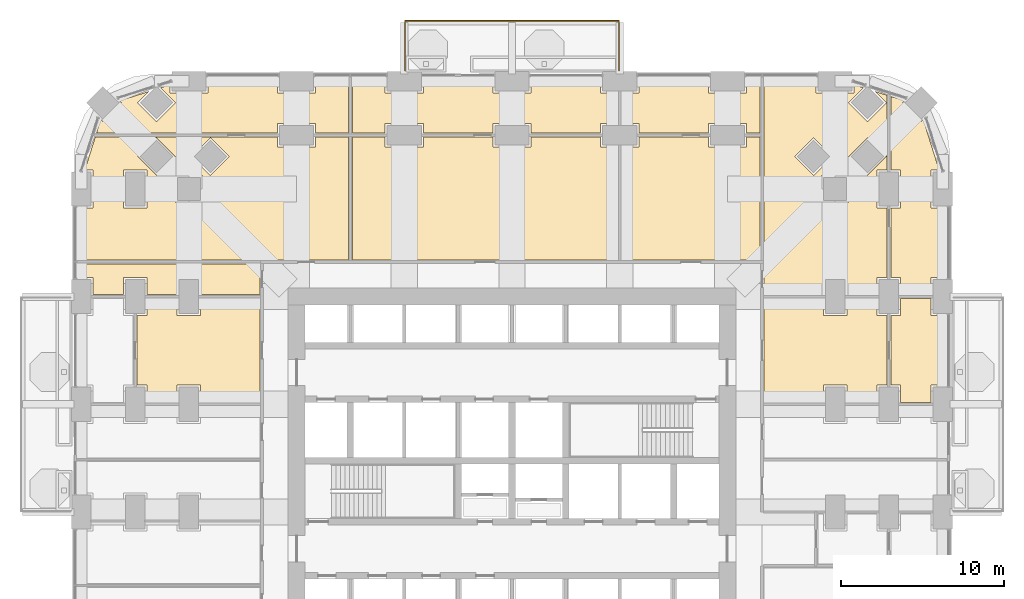
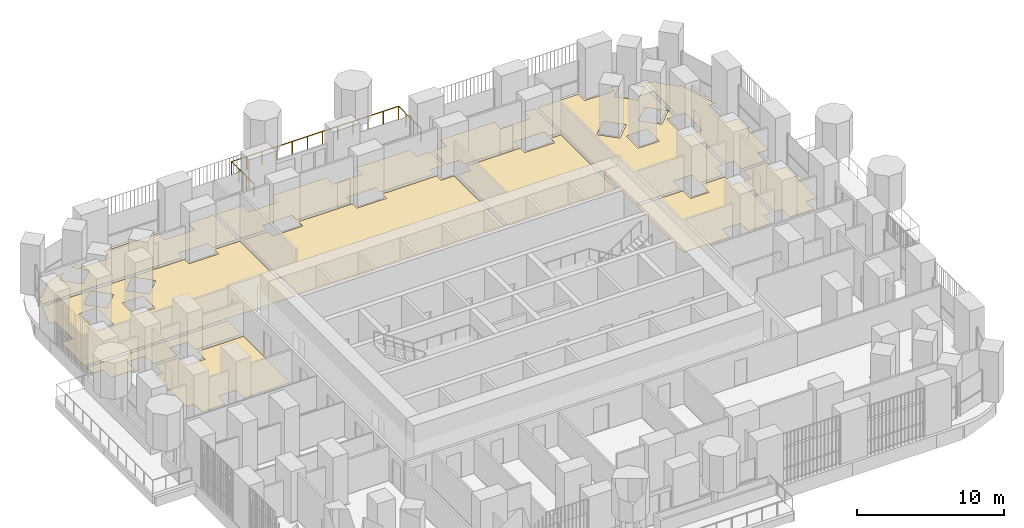
# One storey, part 25 of 26: 12 coverings, 1 railing.
"""IFC4 building model written with IfcOpenShell, lengths in metres."""

from ifc_helpers import new_model, si_unit, direction, frame, origin, place, context, subcontext, project, spatial, polyline, outline, extrude, material, layer, layer_set, type_object, element, save


model = new_model("IFC4")

# Units and contexts
model_context = context("Model", 3, precision=1e-05, world=origin(), true_north=direction((0.0, 1.0)))
body_context = subcontext(model_context, "Body", "Model", "MODEL_VIEW")
ifc_project = project(units=[si_unit("LENGTHUNIT", "METRE"), si_unit("AREAUNIT", "SQUARE_METRE"), si_unit("VOLUMEUNIT", "CUBIC_METRE"), si_unit("PLANEANGLEUNIT", "RADIAN"), si_unit("MASSUNIT", "GRAM", prefix="KILO")], contexts=[model_context])

# Site, building, storey
site_placement = place(None, origin())
site = spatial("IfcSite", under=ifc_project, at=site_placement, CompositionType="ELEMENT")
building_placement = place(site_placement, origin())
building = spatial("IfcBuilding", under=site, at=building_placement, Name="Cobogo Forest Laboratory Tower", CompositionType="ELEMENT")
storey_placement = place(building_placement, frame((0.0, 0.0, 59.10009765625)))
storey = spatial("IfcBuildingStorey", under=building, at=storey_placement, Name="L13", CompositionType="ELEMENT", Elevation=59.10009765625)

# Railing
ifc_material_1 = material(Name="Laminated glass balustrade", Category="glass")
railing_type = type_object("IfcRailingType", Name="BG1 glass balustrade 1100", PredefinedType="GUARDRAIL", material=ifc_material_1)
railing_placement = place(storey_placement, frame((19.85009765625, 46.85009765625, 0.0)))
element("IfcRailing", 1, at=railing_placement, inside=storey, type_object=railing_type, Name="Balcony balustrade BAL-N1 L13", PredefinedType="GUARDRAIL", context=body_context, shape_type="SweptSolid", body=[
    extrude(outline(polyline([(0.022216796875, 0.00927734375), (0.00927734375, 0.022216796875), (-0.00927734375, 0.022216796875), (-0.022216796875, 0.00927734375), (-0.022216796875, -0.00927734375), (-0.00927734375, -0.022216796875), (0.00927734375, -0.022216796875), (0.022216796875, -0.00927734375), (0.022216796875, 0.00927734375)])), frame((0.0, 0.0, 1.077880859375), z_axis=(0.0, 1.0, 0.0), x_axis=(-1.0, 0.0, 0.0)), (0.0, 0.0, 1.0), 3.0498046875),
    extrude(outline(polyline([(0.022216796875, 0.00927734375), (0.00927734375, 0.022216796875), (-0.00927734375, 0.022216796875), (-0.022216796875, 0.00927734375), (-0.022216796875, -0.00927734375), (-0.00927734375, -0.022216796875), (0.00927734375, -0.022216796875), (0.022216796875, -0.00927734375), (0.022216796875, 0.00927734375)])), frame((0.0, 3.0498046875, 1.077880859375), z_axis=(1.0, 0.0, 0.0), x_axis=(0.0, 1.0, 0.0)), (0.0, 0.0, 1.0), 13.099853515625),
    extrude(outline(polyline([(0.022216796875, 0.00927734375), (0.00927734375, 0.022216796875), (-0.00927734375, 0.022216796875), (-0.022216796875, 0.00927734375), (-0.022216796875, -0.00927734375), (-0.00927734375, -0.022216796875), (0.00927734375, -0.022216796875), (0.022216796875, -0.00927734375), (0.022216796875, 0.00927734375)])), frame((13.099853515625, 3.0498046875, 1.077880859375), z_axis=(0.0, -1.0, 0.0), x_axis=(1.0, 0.0, 0.0)), (0.0, 0.0, 1.0), 3.0498046875),
    extrude(outline(polyline([(0.019287109375, 0.008056640625), (0.008056640625, 0.019287109375), (-0.008056640625, 0.019287109375), (-0.019287109375, 0.008056640625), (-0.019287109375, -0.008056640625), (-0.008056640625, -0.019287109375), (0.008056640625, -0.019287109375), (0.019287109375, -0.008056640625), (0.019287109375, 0.008056640625)])), origin(), (0.0, 0.0, 1.0), 1.077880859375),
    extrude(outline(polyline([(0.019287109375, 0.008056640625), (0.008056640625, 0.019287109375), (-0.008056640625, 0.019287109375), (-0.019287109375, 0.008056640625), (-0.019287109375, -0.008056640625), (-0.008056640625, -0.019287109375), (0.008056640625, -0.019287109375), (0.019287109375, -0.008056640625), (0.019287109375, 0.008056640625)])), frame((0.0, 1.0166015625, 0.0)), (0.0, 0.0, 1.0), 1.077880859375),
    extrude(outline(polyline([(0.019287109375, 0.008056640625), (0.008056640625, 0.019287109375), (-0.008056640625, 0.019287109375), (-0.019287109375, 0.008056640625), (-0.019287109375, -0.008056640625), (-0.008056640625, -0.019287109375), (0.008056640625, -0.019287109375), (0.019287109375, -0.008056640625), (0.019287109375, 0.008056640625)])), frame((0.0, 2.033203125, 0.0)), (0.0, 0.0, 1.0), 1.077880859375),
    extrude(outline(polyline([(0.019287109375, 0.008056640625), (0.008056640625, 0.019287109375), (-0.008056640625, 0.019287109375), (-0.019287109375, 0.008056640625), (-0.019287109375, -0.008056640625), (-0.008056640625, -0.019287109375), (0.008056640625, -0.019287109375), (0.019287109375, -0.008056640625), (0.019287109375, 0.008056640625)])), frame((0.0, 3.0498046875, 0.0)), (0.0, 0.0, 1.0), 1.077880859375),
    extrude(outline(polyline([(0.019287109375, 0.008056640625), (0.008056640625, 0.019287109375), (-0.008056640625, 0.019287109375), (-0.019287109375, 0.008056640625), (-0.019287109375, -0.008056640625), (-0.008056640625, -0.019287109375), (0.008056640625, -0.019287109375), (0.019287109375, -0.008056640625), (0.019287109375, 0.008056640625)])), frame((1.19091796875, 3.0498046875, 0.0)), (0.0, 0.0, 1.0), 1.077880859375),
    extrude(outline(polyline([(0.019287109375, 0.008056640625), (0.008056640625, 0.019287109375), (-0.008056640625, 0.019287109375), (-0.019287109375, 0.008056640625), (-0.019287109375, -0.008056640625), (-0.008056640625, -0.019287109375), (0.008056640625, -0.019287109375), (0.019287109375, -0.008056640625), (0.019287109375, 0.008056640625)])), frame((2.3818359375, 3.0498046875, 0.0)), (0.0, 0.0, 1.0), 1.077880859375),
    extrude(outline(polyline([(0.019287109375, 0.008056640625), (0.008056640625, 0.019287109375), (-0.008056640625, 0.019287109375), (-0.019287109375, 0.008056640625), (-0.019287109375, -0.008056640625), (-0.008056640625, -0.019287109375), (0.008056640625, -0.019287109375), (0.019287109375, -0.008056640625), (0.019287109375, 0.008056640625)])), frame((3.57275390625, 3.0498046875, 0.0)), (0.0, 0.0, 1.0), 1.077880859375),
    extrude(outline(polyline([(0.019287109375, 0.008056640625), (0.008056640625, 0.019287109375), (-0.008056640625, 0.019287109375), (-0.019287109375, 0.008056640625), (-0.019287109375, -0.008056640625), (-0.008056640625, -0.019287109375), (0.008056640625, -0.019287109375), (0.019287109375, -0.008056640625), (0.019287109375, 0.008056640625)])), frame((4.763671875, 3.0498046875, 0.0)), (0.0, 0.0, 1.0), 1.077880859375),
    extrude(outline(polyline([(0.019287109375, 0.008056640625), (0.008056640625, 0.019287109375), (-0.008056640625, 0.019287109375), (-0.019287109375, 0.008056640625), (-0.019287109375, -0.008056640625), (-0.008056640625, -0.019287109375), (0.008056640625, -0.019287109375), (0.019287109375, -0.008056640625), (0.019287109375, 0.008056640625)])), frame((5.95458984375, 3.0498046875, 0.0)), (0.0, 0.0, 1.0), 1.077880859375),
    extrude(outline(polyline([(0.019287109375, 0.008056640625), (0.008056640625, 0.019287109375), (-0.008056640625, 0.019287109375), (-0.019287109375, 0.008056640625), (-0.019287109375, -0.008056640625), (-0.008056640625, -0.019287109375), (0.008056640625, -0.019287109375), (0.019287109375, -0.008056640625), (0.019287109375, 0.008056640625)])), frame((7.145263671875, 3.0498046875, 0.0)), (0.0, 0.0, 1.0), 1.077880859375),
    extrude(outline(polyline([(0.019287109375, 0.008056640625), (0.008056640625, 0.019287109375), (-0.008056640625, 0.019287109375), (-0.019287109375, 0.008056640625), (-0.019287109375, -0.008056640625), (-0.008056640625, -0.019287109375), (0.008056640625, -0.019287109375), (0.019287109375, -0.008056640625), (0.019287109375, 0.008056640625)])), frame((8.336181640625, 3.0498046875, 0.0)), (0.0, 0.0, 1.0), 1.077880859375),
    extrude(outline(polyline([(0.019287109375, 0.008056640625), (0.008056640625, 0.019287109375), (-0.008056640625, 0.019287109375), (-0.019287109375, 0.008056640625), (-0.019287109375, -0.008056640625), (-0.008056640625, -0.019287109375), (0.008056640625, -0.019287109375), (0.019287109375, -0.008056640625), (0.019287109375, 0.008056640625)])), frame((9.527099609375, 3.0498046875, 0.0)), (0.0, 0.0, 1.0), 1.077880859375),
    extrude(outline(polyline([(0.019287109375, 0.008056640625), (0.008056640625, 0.019287109375), (-0.008056640625, 0.019287109375), (-0.019287109375, 0.008056640625), (-0.019287109375, -0.008056640625), (-0.008056640625, -0.019287109375), (0.008056640625, -0.019287109375), (0.019287109375, -0.008056640625), (0.019287109375, 0.008056640625)])), frame((10.718017578125, 3.0498046875, 0.0)), (0.0, 0.0, 1.0), 1.077880859375),
    extrude(outline(polyline([(0.019287109375, 0.008056640625), (0.008056640625, 0.019287109375), (-0.008056640625, 0.019287109375), (-0.019287109375, 0.008056640625), (-0.019287109375, -0.008056640625), (-0.008056640625, -0.019287109375), (0.008056640625, -0.019287109375), (0.019287109375, -0.008056640625), (0.019287109375, 0.008056640625)])), frame((11.908935546875, 3.0498046875, 0.0)), (0.0, 0.0, 1.0), 1.077880859375),
    extrude(outline(polyline([(0.019287109375, 0.008056640625), (0.008056640625, 0.019287109375), (-0.008056640625, 0.019287109375), (-0.019287109375, 0.008056640625), (-0.019287109375, -0.008056640625), (-0.008056640625, -0.019287109375), (0.008056640625, -0.019287109375), (0.019287109375, -0.008056640625), (0.019287109375, 0.008056640625)])), frame((13.099853515625, 3.0498046875, 0.0)), (0.0, 0.0, 1.0), 1.077880859375),
    extrude(outline(polyline([(0.019287109375, 0.008056640625), (0.008056640625, 0.019287109375), (-0.008056640625, 0.019287109375), (-0.019287109375, 0.008056640625), (-0.019287109375, -0.008056640625), (-0.008056640625, -0.019287109375), (0.008056640625, -0.019287109375), (0.019287109375, -0.008056640625), (0.019287109375, 0.008056640625)])), frame((13.099853515625, 2.033203125, 0.0)), (0.0, 0.0, 1.0), 1.077880859375),
    extrude(outline(polyline([(0.019287109375, 0.008056640625), (0.008056640625, 0.019287109375), (-0.008056640625, 0.019287109375), (-0.019287109375, 0.008056640625), (-0.019287109375, -0.008056640625), (-0.008056640625, -0.019287109375), (0.008056640625, -0.019287109375), (0.019287109375, -0.008056640625), (0.019287109375, 0.008056640625)])), frame((13.099853515625, 1.0166015625, 0.0)), (0.0, 0.0, 1.0), 1.077880859375),
    extrude(outline(polyline([(0.019287109375, 0.008056640625), (0.008056640625, 0.019287109375), (-0.008056640625, 0.019287109375), (-0.019287109375, 0.008056640625), (-0.019287109375, -0.008056640625), (-0.008056640625, -0.019287109375), (0.008056640625, -0.019287109375), (0.019287109375, -0.008056640625), (0.019287109375, 0.008056640625)])), frame((13.099853515625, 0.0, 0.0)), (0.0, 0.0, 1.0), 1.077880859375),
])

# Coverings
ifc_material_2 = material(Name="Carpet tile on raised access floor", Category="flooring")
ifc_layer_1 = layer(ifc_material_2, 0.008056640625)
ifc_layer_set_1 = layer_set([ifc_layer_1], Name="CT1 carpet tile floor 8")
covering_type_1 = type_object("IfcCoveringType", Name="CT1 carpet tile floor 8", PredefinedType="FLOORING", material=ifc_layer_set_1)
covering_1_placement = place(storey_placement, origin())
element("IfcCovering", 2, at=covering_1_placement, inside=storey, type_object=covering_type_1, Name="Carpet floor L13-19", PredefinedType="FLOORING", context=body_context, shape_type="SweptSolid", body=[
    extrude(outline(polyline([(49.6201171875, 31.830078125), (50.219970703125, 31.830078125), (50.219970703125, 32.8798828125), (52.080078125, 32.8798828125), (52.080078125, 31.830078125), (52.949951171875, 31.830078125), (52.949951171875, 27.570068359375), (52.080078125, 27.570068359375), (52.080078125, 26.52001953125), (50.219970703125, 26.52001953125), (50.219970703125, 27.570068359375), (49.6201171875, 27.570068359375), (49.6201171875, 31.830078125)])), origin(), (0.0, 0.0, 1.0), 0.0078125),
])
covering_2_placement = place(storey_placement, origin())
element("IfcCovering", 3, at=covering_2_placement, inside=storey, type_object=covering_type_1, Name="Carpet floor L13-21", PredefinedType="FLOORING", context=body_context, shape_type="SweptSolid", body=[
    extrude(outline(polyline([(49.6201171875, 38.429931640625), (50.219970703125, 38.429931640625), (50.219970703125, 40.77001953125), (49.6201171875, 40.77001953125), (49.6201171875, 45.26025390625), (50.441162109375, 45.0009765625), (50.322265625, 44.882080078125), (51.48193359375, 43.722412109375), (51.600830078125, 43.84130859375), (52.57080078125, 40.77001953125), (52.080078125, 40.77001953125), (52.080078125, 38.429931640625), (52.949951171875, 38.429931640625), (52.949951171875, 34.169921875), (52.080078125, 34.169921875), (52.080078125, 33.1201171875), (50.219970703125, 33.1201171875), (50.219970703125, 34.169921875), (49.6201171875, 34.169921875), (49.6201171875, 38.429931640625)])), origin(), (0.0, 0.0, 1.0), 0.0078125),
])
covering_3_placement = place(storey_placement, origin())
element("IfcCovering", 4, at=covering_3_placement, inside=storey, type_object=covering_type_1, Name="Carpet floor L13-23", PredefinedType="FLOORING", context=body_context, shape_type="SweptSolid", body=[
    extrude(outline(polyline([(14.3701171875, 43.02001953125), (14.3701171875, 43.6201171875), (12.030029296875, 43.6201171875), (12.030029296875, 43.02001953125), (0.939697265625, 43.02001953125), (1.19921875, 43.84130859375), (1.318115234375, 43.722412109375), (2.477783203125, 44.882080078125), (2.358642578125, 45.0009765625), (4.1396484375, 45.563232421875), (3.458251953125, 44.882080078125), (4.617919921875, 43.722412109375), (5.777587890625, 44.882080078125), (4.86669921875, 45.79296875), (5.429931640625, 45.970703125), (5.429931640625, 45.47998046875), (7.77001953125, 45.47998046875), (7.77001953125, 46.35009765625), (12.030029296875, 46.35009765625), (12.030029296875, 45.47998046875), (14.3701171875, 45.47998046875), (14.3701171875, 46.35009765625), (16.3798828125, 46.35009765625), (16.3798828125, 43.02001953125), (14.3701171875, 43.02001953125)])), origin(), (0.0, 0.0, 1.0), 0.0078125),
])
covering_4_placement = place(storey_placement, origin())
element("IfcCovering", 5, at=covering_4_placement, inside=storey, type_object=covering_type_1, Name="Carpet floor L13-25", PredefinedType="FLOORING", context=body_context, shape_type="SweptSolid", body=[
    extrude(outline(polyline([(27.570068359375, 43.02001953125), (27.570068359375, 43.6201171875), (25.22998046875, 43.6201171875), (25.22998046875, 43.02001953125), (20.969970703125, 43.02001953125), (20.969970703125, 43.6201171875), (18.6298828125, 43.6201171875), (18.6298828125, 43.02001953125), (16.6201171875, 43.02001953125), (16.6201171875, 46.35009765625), (18.6298828125, 46.35009765625), (18.6298828125, 45.47998046875), (20.969970703125, 45.47998046875), (20.969970703125, 46.35009765625), (25.22998046875, 46.35009765625), (25.22998046875, 45.47998046875), (27.570068359375, 45.47998046875), (27.570068359375, 46.35009765625), (31.830078125, 46.35009765625), (31.830078125, 45.47998046875), (32.8798828125, 45.47998046875), (32.8798828125, 43.6201171875), (31.830078125, 43.6201171875), (31.830078125, 43.02001953125), (27.570068359375, 43.02001953125)])), origin(), (0.0, 0.0, 1.0), 0.0078125),
])
covering_5_placement = place(storey_placement, origin())
element("IfcCovering", 6, at=covering_5_placement, inside=storey, type_object=covering_type_1, Name="Carpet floor L13-27", PredefinedType="FLOORING", context=body_context, shape_type="SweptSolid", body=[
    extrude(outline(polyline([(40.77001953125, 43.02001953125), (40.77001953125, 43.6201171875), (38.429931640625, 43.6201171875), (38.429931640625, 43.02001953125), (34.169921875, 43.02001953125), (34.169921875, 43.6201171875), (33.1201171875, 43.6201171875), (33.1201171875, 45.47998046875), (34.169921875, 45.47998046875), (34.169921875, 46.35009765625), (38.429931640625, 46.35009765625), (38.429931640625, 45.47998046875), (40.77001953125, 45.47998046875), (40.77001953125, 46.35009765625), (41.60498046875, 46.35009765625), (41.60498046875, 43.02001953125), (40.77001953125, 43.02001953125)])), origin(), (0.0, 0.0, 1.0), 0.0078125),
])
covering_6_placement = place(storey_placement, origin())
element("IfcCovering", 7, at=covering_6_placement, inside=storey, type_object=covering_type_1, Name="Carpet floor L13-36", PredefinedType="FLOORING", context=body_context, shape_type="SweptSolid", body=[
    extrude(outline(polyline([(10.955078125, 33.1201171875), (7.320068359375, 33.1201171875), (7.320068359375, 34.169921875), (5.8798828125, 34.169921875), (5.8798828125, 33.1201171875), (4.02001953125, 33.1201171875), (4.02001953125, 34.169921875), (2.580078125, 34.169921875), (2.580078125, 33.1201171875), (0.719970703125, 33.1201171875), (0.719970703125, 34.169921875), (-0.14990234375, 34.169921875), (-0.14990234375, 35.0048828125), (10.955078125, 35.0048828125), (10.955078125, 33.1201171875)])), origin(), (0.0, 0.0, 1.0), 0.0078125),
])
ifc_material_3 = material(Name="Epoxy resin flooring", Category="flooring")
ifc_layer_2 = layer(ifc_material_3, 0.00390625)
ifc_layer_set_2 = layer_set([ifc_layer_2], Name="LF1 epoxy laboratory floor 4")
covering_type_2 = type_object("IfcCoveringType", Name="LF1 epoxy laboratory floor 4", PredefinedType="FLOORING", material=ifc_layer_set_2)
covering_7_placement = place(storey_placement, origin())
element("IfcCovering", 8, at=covering_7_placement, inside=storey, type_object=covering_type_2, Name="Epoxy laboratory floor L13-18", PredefinedType="FLOORING", context=body_context, shape_type="SweptSolid", body=[
    extrude(outline(polyline([(41.844970703125, 32.8798828125), (45.47998046875, 32.8798828125), (45.47998046875, 31.830078125), (46.919921875, 31.830078125), (46.919921875, 32.8798828125), (48.780029296875, 32.8798828125), (48.780029296875, 31.830078125), (49.3798828125, 31.830078125), (49.3798828125, 27.570068359375), (48.780029296875, 27.570068359375), (48.780029296875, 26.52001953125), (46.919921875, 26.52001953125), (46.919921875, 27.570068359375), (45.47998046875, 27.570068359375), (45.47998046875, 26.52001953125), (41.844970703125, 26.52001953125), (41.844970703125, 32.8798828125)])), origin(), (0.0, 0.0, 1.0), 0.00390625),
])
covering_8_placement = place(storey_placement, origin())
element("IfcCovering", 9, at=covering_8_placement, inside=storey, type_object=covering_type_2, Name="Epoxy laboratory floor L13-20", PredefinedType="FLOORING", context=body_context, shape_type="SweptSolid", body=[
    extrude(outline(polyline([(46.919921875, 33.1201171875), (46.919921875, 34.169921875), (45.47998046875, 34.169921875), (45.47998046875, 33.1201171875), (41.844970703125, 33.1201171875), (41.844970703125, 46.35009765625), (45.030029296875, 46.35009765625), (45.030029296875, 45.47998046875), (47.3701171875, 45.47998046875), (47.3701171875, 45.970703125), (47.933349609375, 45.79296875), (47.022216796875, 44.882080078125), (48.181884765625, 43.722412109375), (49.341552734375, 44.882080078125), (48.660400390625, 45.563232421875), (49.3798828125, 45.3359375), (49.3798828125, 40.77001953125), (48.780029296875, 40.77001953125), (48.780029296875, 38.429931640625), (49.3798828125, 38.429931640625), (49.3798828125, 34.169921875), (48.780029296875, 34.169921875), (48.780029296875, 33.1201171875), (46.919921875, 33.1201171875)]), holes=[polyline([(47.022216796875, 41.58203125), (48.181884765625, 40.42236328125), (49.341552734375, 41.58203125), (48.181884765625, 42.74169921875), (47.022216796875, 41.58203125)]), polyline([(47.02001953125, 40.419921875), (45.3798828125, 40.419921875), (45.3798828125, 38.780029296875), (47.02001953125, 38.780029296875), (47.02001953125, 40.419921875)]), polyline([(43.722412109375, 41.58203125), (44.882080078125, 40.42236328125), (46.041748046875, 41.58203125), (44.882080078125, 42.74169921875), (43.722412109375, 41.58203125)])]), origin(), (0.0, 0.0, 1.0), 0.00390625),
])
covering_9_placement = place(storey_placement, origin())
element("IfcCovering", 10, at=covering_9_placement, inside=storey, type_object=covering_type_2, Name="Epoxy laboratory floor L13-22", PredefinedType="FLOORING", context=body_context, shape_type="SweptSolid", body=[
    extrude(outline(polyline([(16.3798828125, 35.2451171875), (-0.14990234375, 35.2451171875), (-0.14990234375, 38.429931640625), (0.719970703125, 38.429931640625), (0.719970703125, 40.77001953125), (0.229248046875, 40.77001953125), (0.864013671875, 42.780029296875), (12.030029296875, 42.780029296875), (12.030029296875, 42.179931640625), (14.3701171875, 42.179931640625), (14.3701171875, 42.780029296875), (16.3798828125, 42.780029296875), (16.3798828125, 35.2451171875)]), holes=[polyline([(6.75830078125, 41.58203125), (7.91796875, 40.42236328125), (9.07763671875, 41.58203125), (7.91796875, 42.74169921875), (6.75830078125, 41.58203125)]), polyline([(5.780029296875, 40.419921875), (5.780029296875, 38.780029296875), (7.419921875, 38.780029296875), (7.419921875, 40.419921875), (5.780029296875, 40.419921875)]), polyline([(3.458251953125, 41.58203125), (4.617919921875, 40.42236328125), (5.777587890625, 41.58203125), (4.617919921875, 42.74169921875), (3.458251953125, 41.58203125)]), polyline([(2.580078125, 38.429931640625), (4.02001953125, 38.429931640625), (4.02001953125, 40.77001953125), (2.580078125, 40.77001953125), (2.580078125, 38.429931640625)])]), origin(), (0.0, 0.0, 1.0), 0.00390625),
])
covering_10_placement = place(storey_placement, origin())
element("IfcCovering", 11, at=covering_10_placement, inside=storey, type_object=covering_type_2, Name="Epoxy laboratory floor L13-24", PredefinedType="FLOORING", context=body_context, shape_type="SweptSolid", body=[
    extrude(outline(polyline([(16.6201171875, 42.780029296875), (18.6298828125, 42.780029296875), (18.6298828125, 42.179931640625), (20.969970703125, 42.179931640625), (20.969970703125, 42.780029296875), (25.22998046875, 42.780029296875), (25.22998046875, 42.179931640625), (27.570068359375, 42.179931640625), (27.570068359375, 42.780029296875), (31.830078125, 42.780029296875), (31.830078125, 42.179931640625), (32.8798828125, 42.179931640625), (32.8798828125, 35.2451171875), (16.6201171875, 35.2451171875), (16.6201171875, 42.780029296875)])), origin(), (0.0, 0.0, 1.0), 0.00390625),
])
covering_11_placement = place(storey_placement, origin())
element("IfcCovering", 12, at=covering_11_placement, inside=storey, type_object=covering_type_2, Name="Epoxy laboratory floor L13-26", PredefinedType="FLOORING", context=body_context, shape_type="SweptSolid", body=[
    extrude(outline(polyline([(33.1201171875, 42.179931640625), (34.169921875, 42.179931640625), (34.169921875, 42.780029296875), (38.429931640625, 42.780029296875), (38.429931640625, 42.179931640625), (40.77001953125, 42.179931640625), (40.77001953125, 42.780029296875), (41.60498046875, 42.780029296875), (41.60498046875, 35.2451171875), (33.1201171875, 35.2451171875), (33.1201171875, 42.179931640625)])), origin(), (0.0, 0.0, 1.0), 0.00390625),
])
covering_12_placement = place(storey_placement, origin())
element("IfcCovering", 13, at=covering_12_placement, inside=storey, type_object=covering_type_2, Name="Epoxy laboratory floor L13-34", PredefinedType="FLOORING", context=body_context, shape_type="SweptSolid", body=[
    extrude(outline(polyline([(3.419921875, 31.830078125), (4.02001953125, 31.830078125), (4.02001953125, 32.8798828125), (5.8798828125, 32.8798828125), (5.8798828125, 31.830078125), (7.320068359375, 31.830078125), (7.320068359375, 32.8798828125), (10.955078125, 32.8798828125), (10.955078125, 26.52001953125), (7.320068359375, 26.52001953125), (7.320068359375, 27.570068359375), (5.8798828125, 27.570068359375), (5.8798828125, 26.52001953125), (4.02001953125, 26.52001953125), (4.02001953125, 27.570068359375), (3.419921875, 27.570068359375), (3.419921875, 31.830078125)])), origin(), (0.0, 0.0, 1.0), 0.00390625),
])

save(model, "model.ifc")
